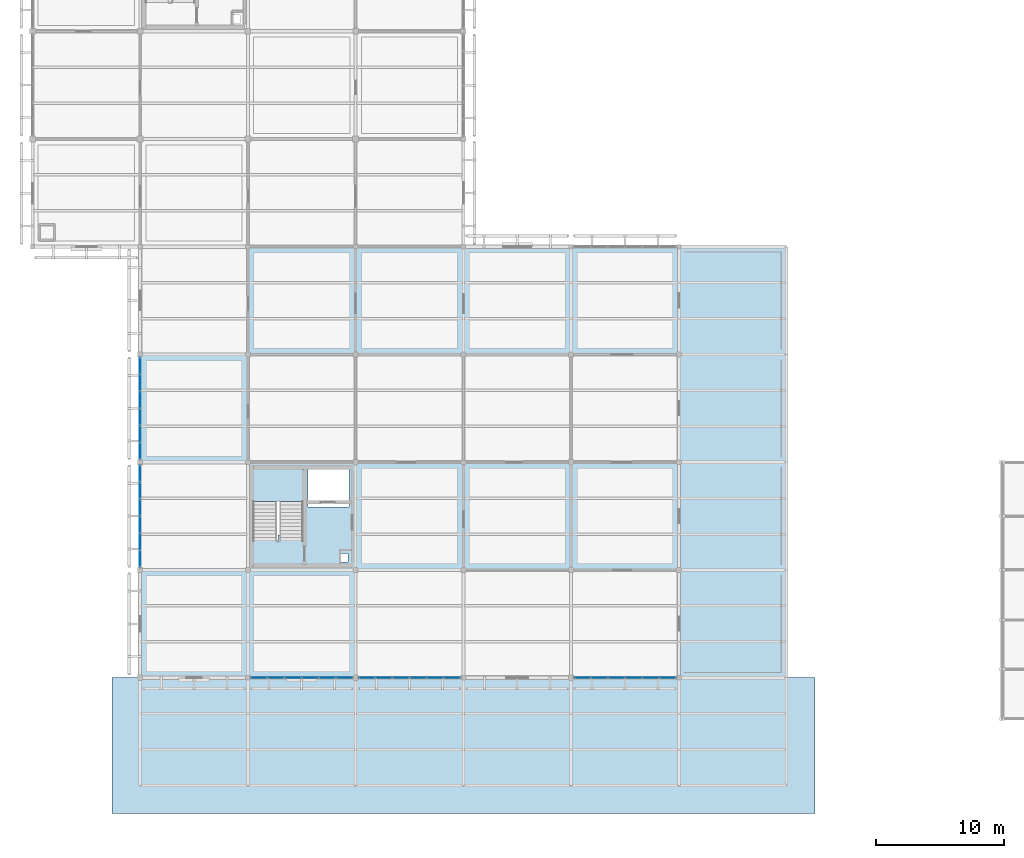
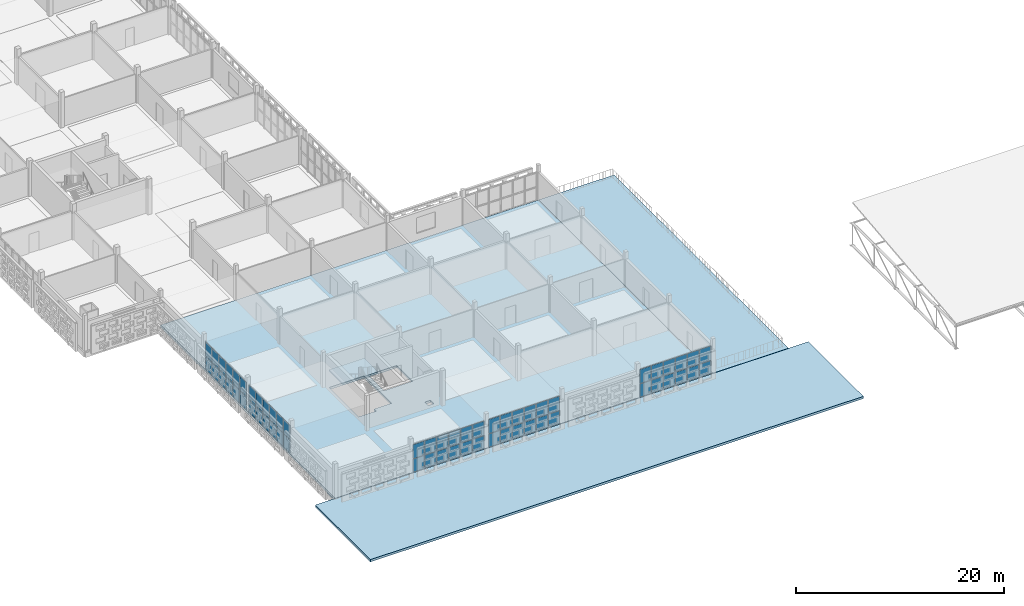
# One storey, part 70 of 140: 60 plates, 4 slabs, 6 elements without a shape of their own.
"""IFC4 building model written with IfcOpenShell, lengths in metres."""

from ifc_helpers import new_model, si_unit, direction, frame, origin, origin_2d, place, context, subcontext, project, spatial, polyline, rectangle, outline, extrude, material, layer, layer_set, type_object, element, aggregate, save


model = new_model("IFC4")

# Units and contexts
model_context = context("Model", 3, precision=1e-05, world=origin(), true_north=direction((0.0, 1.0)))
body_context = subcontext(model_context, "Body", "Model", "MODEL_VIEW")
ifc_project = project(units=[si_unit("LENGTHUNIT", "METRE"), si_unit("AREAUNIT", "SQUARE_METRE"), si_unit("VOLUMEUNIT", "CUBIC_METRE"), si_unit("PLANEANGLEUNIT", "RADIAN"), si_unit("MASSUNIT", "GRAM", prefix="KILO")], contexts=[model_context])

# Site, building, storey
site_placement = place(None, origin())
site = spatial("IfcSite", under=ifc_project, at=site_placement, CompositionType="ELEMENT")
building_placement = place(site_placement, origin())
building = spatial("IfcBuilding", under=site, at=building_placement, Name="Varnapada Polytechnic", CompositionType="ELEMENT")
storey_placement = place(building_placement, frame((0.0, 0.0, 13.800048828125)))
storey = spatial("IfcBuildingStorey", under=building, at=storey_placement, Name="L03", CompositionType="ELEMENT", Elevation=13.800048828125)

# Curtain wall, plates
ifc_material_1 = material(Name="Double low-E laminated glass", Category="glass")
ifc_layer_1 = layer(ifc_material_1, 0.179931640625)
ifc_layer_set_1 = layer_set([ifc_layer_1], Name="Double low-E laminated glass")
curtain_wall_type = type_object("IfcCurtainWallType", Name="Curtain Wall CW-03", PredefinedType="NOTDEFINED", material=ifc_layer_set_1)
curtain_wall_1_placement = place(storey_placement, origin())
curtain_wall_1 = element("IfcCurtainWall", 1, at=curtain_wall_1_placement, inside=storey, type_object=curtain_wall_type, Name="L03 unitised curtain wall CW-03 (211)", PredefinedType="NOTDEFINED")
ifc_layer_2 = layer(ifc_material_1, 0.031982421875)
ifc_layer_set_2 = layer_set([ifc_layer_2], Name="Double low-E laminated glass")
plate_type = type_object("IfcPlateType", Name="Curtain Panel PNL-02", PredefinedType="CURTAIN_PANEL", material=ifc_layer_set_2)
plate_1_placement = place(storey_placement, frame((8.39990234375, 17.682861328125, 0.06494140625), z_axis=(0.0, 0.0, 1.0), x_axis=(0.0, 1.0, 0.0)))
plate_1 = element("IfcPlate", 2, at=plate_1_placement, type_object=plate_type, Name="CW-03 panel 1.1", PredefinedType="CURTAIN_PANEL", context=body_context, shape_type="SweptSolid", body=[
    extrude(rectangle(XDim=1.23583984375, YDim=0.031982421875, at=origin_2d()), origin(), (0.0, 0.0, 1.0), 1.515380859375),
])
plate_2_placement = place(storey_placement, frame((8.39990234375, 17.682861328125, 1.6455078125), z_axis=(0.0, 0.0, 1.0), x_axis=(0.0, 1.0, 0.0)))
plate_2 = element("IfcPlate", 3, at=plate_2_placement, type_object=plate_type, Name="CW-03 panel 1.2", PredefinedType="CURTAIN_PANEL", context=body_context, shape_type="SweptSolid", body=[
    extrude(rectangle(XDim=1.23583984375, YDim=0.031982421875, at=origin_2d()), origin(), (0.0, 0.0, 1.0), 1.649658203125),
])
plate_3_placement = place(storey_placement, frame((8.39990234375, 19.0, 0.06494140625), z_axis=(0.0, 0.0, 1.0), x_axis=(0.0, 1.0, 0.0)))
plate_3 = element("IfcPlate", 4, at=plate_3_placement, type_object=plate_type, Name="CW-03 panel 2.1", PredefinedType="CURTAIN_PANEL", context=body_context, shape_type="SweptSolid", body=[
    extrude(rectangle(XDim=1.268310546875, YDim=0.031982421875, at=origin_2d()), origin(), (0.0, 0.0, 1.0), 1.515380859375),
])
plate_4_placement = place(storey_placement, frame((8.39990234375, 19.0, 1.6455078125), z_axis=(0.0, 0.0, 1.0), x_axis=(0.0, 1.0, 0.0)))
plate_4 = element("IfcPlate", 5, at=plate_4_placement, type_object=plate_type, Name="CW-03 panel 2.2", PredefinedType="CURTAIN_PANEL", context=body_context, shape_type="SweptSolid", body=[
    extrude(rectangle(XDim=1.268310546875, YDim=0.031982421875, at=origin_2d()), origin(), (0.0, 0.0, 1.0), 1.649658203125),
])
plate_5_placement = place(storey_placement, frame((8.39990234375, 20.333251953125, 0.06494140625), z_axis=(0.0, 0.0, 1.0), x_axis=(0.0, 1.0, 0.0)))
plate_5 = element("IfcPlate", 6, at=plate_5_placement, type_object=plate_type, Name="CW-03 panel 3.1", PredefinedType="CURTAIN_PANEL", context=body_context, shape_type="SweptSolid", body=[
    extrude(rectangle(XDim=1.268310546875, YDim=0.031982421875, at=origin_2d()), origin(), (0.0, 0.0, 1.0), 1.515380859375),
])
plate_6_placement = place(storey_placement, frame((8.39990234375, 20.333251953125, 1.6455078125), z_axis=(0.0, 0.0, 1.0), x_axis=(0.0, 1.0, 0.0)))
plate_6 = element("IfcPlate", 7, at=plate_6_placement, type_object=plate_type, Name="CW-03 panel 3.2", PredefinedType="CURTAIN_PANEL", context=body_context, shape_type="SweptSolid", body=[
    extrude(rectangle(XDim=1.268310546875, YDim=0.031982421875, at=origin_2d()), origin(), (0.0, 0.0, 1.0), 1.649658203125),
])
plate_7_placement = place(storey_placement, frame((8.39990234375, 21.666748046875, 0.06494140625), z_axis=(0.0, 0.0, 1.0), x_axis=(0.0, 1.0, 0.0)))
plate_7 = element("IfcPlate", 8, at=plate_7_placement, type_object=plate_type, Name="CW-03 panel 4.1", PredefinedType="CURTAIN_PANEL", context=body_context, shape_type="SweptSolid", body=[
    extrude(rectangle(XDim=1.268310546875, YDim=0.031982421875, at=origin_2d()), origin(), (0.0, 0.0, 1.0), 1.515380859375),
])
plate_8_placement = place(storey_placement, frame((8.39990234375, 21.666748046875, 1.6455078125), z_axis=(0.0, 0.0, 1.0), x_axis=(0.0, 1.0, 0.0)))
plate_8 = element("IfcPlate", 9, at=plate_8_placement, type_object=plate_type, Name="CW-03 panel 4.2", PredefinedType="CURTAIN_PANEL", context=body_context, shape_type="SweptSolid", body=[
    extrude(rectangle(XDim=1.268310546875, YDim=0.031982421875, at=origin_2d()), origin(), (0.0, 0.0, 1.0), 1.649658203125),
])
plate_9_placement = place(storey_placement, frame((8.39990234375, 23.0, 0.06494140625), z_axis=(0.0, 0.0, 1.0), x_axis=(0.0, 1.0, 0.0)))
plate_9 = element("IfcPlate", 10, at=plate_9_placement, type_object=plate_type, Name="CW-03 panel 5.1", PredefinedType="CURTAIN_PANEL", context=body_context, shape_type="SweptSolid", body=[
    extrude(rectangle(XDim=1.268310546875, YDim=0.031982421875, at=origin_2d()), origin(), (0.0, 0.0, 1.0), 1.515380859375),
])
plate_10_placement = place(storey_placement, frame((8.39990234375, 23.0, 1.6455078125), z_axis=(0.0, 0.0, 1.0), x_axis=(0.0, 1.0, 0.0)))
plate_10 = element("IfcPlate", 11, at=plate_10_placement, type_object=plate_type, Name="CW-03 panel 5.2", PredefinedType="CURTAIN_PANEL", context=body_context, shape_type="SweptSolid", body=[
    extrude(rectangle(XDim=1.268310546875, YDim=0.031982421875, at=origin_2d()), origin(), (0.0, 0.0, 1.0), 1.649658203125),
])
plate_11_placement = place(storey_placement, frame((8.39990234375, 24.317138671875, 0.06494140625), z_axis=(0.0, 0.0, 1.0), x_axis=(0.0, 1.0, 0.0)))
plate_11 = element("IfcPlate", 12, at=plate_11_placement, type_object=plate_type, Name="CW-03 panel 6.1", PredefinedType="CURTAIN_PANEL", context=body_context, shape_type="SweptSolid", body=[
    extrude(rectangle(XDim=1.23583984375, YDim=0.031982421875, at=origin_2d()), origin(), (0.0, 0.0, 1.0), 1.515380859375),
])
plate_12_placement = place(storey_placement, frame((8.39990234375, 24.317138671875, 1.6455078125), z_axis=(0.0, 0.0, 1.0), x_axis=(0.0, 1.0, 0.0)))
plate_12 = element("IfcPlate", 13, at=plate_12_placement, type_object=plate_type, Name="CW-03 panel 6.2", PredefinedType="CURTAIN_PANEL", context=body_context, shape_type="SweptSolid", body=[
    extrude(rectangle(XDim=1.23583984375, YDim=0.031982421875, at=origin_2d()), origin(), (0.0, 0.0, 1.0), 1.649658203125),
])
aggregate(curtain_wall_1, [plate_1, plate_2, plate_3, plate_4, plate_5, plate_6, plate_7, plate_8, plate_9, plate_10, plate_11, plate_12])

curtain_wall_2_placement = place(storey_placement, origin())
curtain_wall_2 = element("IfcCurtainWall", 14, at=curtain_wall_2_placement, inside=storey, type_object=curtain_wall_type, Name="L03 unitised curtain wall CW-03 (212)", PredefinedType="NOTDEFINED")
plate_13_placement = place(storey_placement, frame((8.39990234375, 26.0830078125, 0.06494140625), z_axis=(0.0, 0.0, 1.0), x_axis=(0.0, 1.0, 0.0)))
plate_13 = element("IfcPlate", 15, at=plate_13_placement, type_object=plate_type, Name="CW-03 panel 1.1", PredefinedType="CURTAIN_PANEL", context=body_context, shape_type="SweptSolid", body=[
    extrude(rectangle(XDim=1.23583984375, YDim=0.031982421875, at=origin_2d()), origin(), (0.0, 0.0, 1.0), 1.515380859375),
])
plate_14_placement = place(storey_placement, frame((8.39990234375, 26.0830078125, 1.6455078125), z_axis=(0.0, 0.0, 1.0), x_axis=(0.0, 1.0, 0.0)))
plate_14 = element("IfcPlate", 16, at=plate_14_placement, type_object=plate_type, Name="CW-03 panel 1.2", PredefinedType="CURTAIN_PANEL", context=body_context, shape_type="SweptSolid", body=[
    extrude(rectangle(XDim=1.23583984375, YDim=0.031982421875, at=origin_2d()), origin(), (0.0, 0.0, 1.0), 1.649658203125),
])
plate_15_placement = place(storey_placement, frame((8.39990234375, 27.39990234375, 0.06494140625), z_axis=(0.0, 0.0, 1.0), x_axis=(0.0, 1.0, 0.0)))
plate_15 = element("IfcPlate", 17, at=plate_15_placement, type_object=plate_type, Name="CW-03 panel 2.1", PredefinedType="CURTAIN_PANEL", context=body_context, shape_type="SweptSolid", body=[
    extrude(rectangle(XDim=1.268310546875, YDim=0.031982421875, at=origin_2d()), origin(), (0.0, 0.0, 1.0), 1.515380859375),
])
plate_16_placement = place(storey_placement, frame((8.39990234375, 27.39990234375, 1.6455078125), z_axis=(0.0, 0.0, 1.0), x_axis=(0.0, 1.0, 0.0)))
plate_16 = element("IfcPlate", 18, at=plate_16_placement, type_object=plate_type, Name="CW-03 panel 2.2", PredefinedType="CURTAIN_PANEL", context=body_context, shape_type="SweptSolid", body=[
    extrude(rectangle(XDim=1.268310546875, YDim=0.031982421875, at=origin_2d()), origin(), (0.0, 0.0, 1.0), 1.649658203125),
])
plate_17_placement = place(storey_placement, frame((8.39990234375, 28.7333984375, 0.06494140625), z_axis=(0.0, 0.0, 1.0), x_axis=(0.0, 1.0, 0.0)))
plate_17 = element("IfcPlate", 19, at=plate_17_placement, type_object=plate_type, Name="CW-03 panel 3.1", PredefinedType="CURTAIN_PANEL", context=body_context, shape_type="SweptSolid", body=[
    extrude(rectangle(XDim=1.268310546875, YDim=0.031982421875, at=origin_2d()), origin(), (0.0, 0.0, 1.0), 1.515380859375),
])
plate_18_placement = place(storey_placement, frame((8.39990234375, 28.7333984375, 1.6455078125), z_axis=(0.0, 0.0, 1.0), x_axis=(0.0, 1.0, 0.0)))
plate_18 = element("IfcPlate", 20, at=plate_18_placement, type_object=plate_type, Name="CW-03 panel 3.2", PredefinedType="CURTAIN_PANEL", context=body_context, shape_type="SweptSolid", body=[
    extrude(rectangle(XDim=1.268310546875, YDim=0.031982421875, at=origin_2d()), origin(), (0.0, 0.0, 1.0), 1.649658203125),
])
plate_19_placement = place(storey_placement, frame((8.39990234375, 30.066650390625, 0.06494140625), z_axis=(0.0, 0.0, 1.0), x_axis=(0.0, 1.0, 0.0)))
plate_19 = element("IfcPlate", 21, at=plate_19_placement, type_object=plate_type, Name="CW-03 panel 4.1", PredefinedType="CURTAIN_PANEL", context=body_context, shape_type="SweptSolid", body=[
    extrude(rectangle(XDim=1.268310546875, YDim=0.031982421875, at=origin_2d()), origin(), (0.0, 0.0, 1.0), 1.515380859375),
])
plate_20_placement = place(storey_placement, frame((8.39990234375, 30.066650390625, 1.6455078125), z_axis=(0.0, 0.0, 1.0), x_axis=(0.0, 1.0, 0.0)))
plate_20 = element("IfcPlate", 22, at=plate_20_placement, type_object=plate_type, Name="CW-03 panel 4.2", PredefinedType="CURTAIN_PANEL", context=body_context, shape_type="SweptSolid", body=[
    extrude(rectangle(XDim=1.268310546875, YDim=0.031982421875, at=origin_2d()), origin(), (0.0, 0.0, 1.0), 1.649658203125),
])
plate_21_placement = place(storey_placement, frame((8.39990234375, 31.39990234375, 0.06494140625), z_axis=(0.0, 0.0, 1.0), x_axis=(0.0, 1.0, 0.0)))
plate_21 = element("IfcPlate", 23, at=plate_21_placement, type_object=plate_type, Name="CW-03 panel 5.1", PredefinedType="CURTAIN_PANEL", context=body_context, shape_type="SweptSolid", body=[
    extrude(rectangle(XDim=1.268310546875, YDim=0.031982421875, at=origin_2d()), origin(), (0.0, 0.0, 1.0), 1.515380859375),
])
plate_22_placement = place(storey_placement, frame((8.39990234375, 31.39990234375, 1.6455078125), z_axis=(0.0, 0.0, 1.0), x_axis=(0.0, 1.0, 0.0)))
plate_22 = element("IfcPlate", 24, at=plate_22_placement, type_object=plate_type, Name="CW-03 panel 5.2", PredefinedType="CURTAIN_PANEL", context=body_context, shape_type="SweptSolid", body=[
    extrude(rectangle(XDim=1.268310546875, YDim=0.031982421875, at=origin_2d()), origin(), (0.0, 0.0, 1.0), 1.649658203125),
])
plate_23_placement = place(storey_placement, frame((8.39990234375, 32.717041015625, 0.06494140625), z_axis=(0.0, 0.0, 1.0), x_axis=(0.0, 1.0, 0.0)))
plate_23 = element("IfcPlate", 25, at=plate_23_placement, type_object=plate_type, Name="CW-03 panel 6.1", PredefinedType="CURTAIN_PANEL", context=body_context, shape_type="SweptSolid", body=[
    extrude(rectangle(XDim=1.23583984375, YDim=0.031982421875, at=origin_2d()), origin(), (0.0, 0.0, 1.0), 1.515380859375),
])
plate_24_placement = place(storey_placement, frame((8.39990234375, 32.717041015625, 1.6455078125), z_axis=(0.0, 0.0, 1.0), x_axis=(0.0, 1.0, 0.0)))
plate_24 = element("IfcPlate", 26, at=plate_24_placement, type_object=plate_type, Name="CW-03 panel 6.2", PredefinedType="CURTAIN_PANEL", context=body_context, shape_type="SweptSolid", body=[
    extrude(rectangle(XDim=1.23583984375, YDim=0.031982421875, at=origin_2d()), origin(), (0.0, 0.0, 1.0), 1.649658203125),
])
aggregate(curtain_wall_2, [plate_13, plate_14, plate_15, plate_16, plate_17, plate_18, plate_19, plate_20, plate_21, plate_22, plate_23, plate_24])

curtain_wall_3_placement = place(storey_placement, origin())
curtain_wall_3 = element("IfcCurtainWall", 27, at=curtain_wall_3_placement, inside=storey, type_object=curtain_wall_type, Name="L03 unitised curtain wall CW-03 (214)", PredefinedType="NOTDEFINED")
plate_25_placement = place(storey_placement, frame((24.316162109375, 8.39990234375, 0.06494140625), z_axis=(0.0, 0.0, 1.0), x_axis=(-1.0, 0.0, 0.0)))
plate_25 = element("IfcPlate", 28, at=plate_25_placement, type_object=plate_type, Name="CW-03 panel 1.1", PredefinedType="CURTAIN_PANEL", context=body_context, shape_type="SweptSolid", body=[
    extrude(rectangle(XDim=1.237548828125, YDim=0.031982421875, at=origin_2d()), origin(), (0.0, 0.0, 1.0), 1.515380859375),
])
plate_26_placement = place(storey_placement, frame((24.316162109375, 8.39990234375, 1.6455078125), z_axis=(0.0, 0.0, 1.0), x_axis=(-1.0, 0.0, 0.0)))
plate_26 = element("IfcPlate", 29, at=plate_26_placement, type_object=plate_type, Name="CW-03 panel 1.2", PredefinedType="CURTAIN_PANEL", context=body_context, shape_type="SweptSolid", body=[
    extrude(rectangle(XDim=1.237548828125, YDim=0.031982421875, at=origin_2d()), origin(), (0.0, 0.0, 1.0), 1.649658203125),
])
plate_27_placement = place(storey_placement, frame((22.99755859375, 8.39990234375, 0.06494140625), z_axis=(0.0, 0.0, 1.0), x_axis=(-1.0, 0.0, 0.0)))
plate_27 = element("IfcPlate", 30, at=plate_27_placement, type_object=plate_type, Name="CW-03 panel 2.1", PredefinedType="CURTAIN_PANEL", context=body_context, shape_type="SweptSolid", body=[
    extrude(rectangle(XDim=1.27001953125, YDim=0.031982421875, at=origin_2d()), origin(), (0.0, 0.0, 1.0), 1.515380859375),
])
plate_28_placement = place(storey_placement, frame((22.99755859375, 8.39990234375, 1.6455078125), z_axis=(0.0, 0.0, 1.0), x_axis=(-1.0, 0.0, 0.0)))
plate_28 = element("IfcPlate", 31, at=plate_28_placement, type_object=plate_type, Name="CW-03 panel 2.2", PredefinedType="CURTAIN_PANEL", context=body_context, shape_type="SweptSolid", body=[
    extrude(rectangle(XDim=1.27001953125, YDim=0.031982421875, at=origin_2d()), origin(), (0.0, 0.0, 1.0), 1.649658203125),
])
plate_29_placement = place(storey_placement, frame((21.66259765625, 8.39990234375, 0.06494140625), z_axis=(0.0, 0.0, 1.0), x_axis=(-1.0, 0.0, 0.0)))
plate_29 = element("IfcPlate", 32, at=plate_29_placement, type_object=plate_type, Name="CW-03 panel 3.1", PredefinedType="CURTAIN_PANEL", context=body_context, shape_type="SweptSolid", body=[
    extrude(rectangle(XDim=1.27001953125, YDim=0.031982421875, at=origin_2d()), origin(), (0.0, 0.0, 1.0), 1.515380859375),
])
plate_30_placement = place(storey_placement, frame((21.66259765625, 8.39990234375, 1.6455078125), z_axis=(0.0, 0.0, 1.0), x_axis=(-1.0, 0.0, 0.0)))
plate_30 = element("IfcPlate", 33, at=plate_30_placement, type_object=plate_type, Name="CW-03 panel 3.2", PredefinedType="CURTAIN_PANEL", context=body_context, shape_type="SweptSolid", body=[
    extrude(rectangle(XDim=1.27001953125, YDim=0.031982421875, at=origin_2d()), origin(), (0.0, 0.0, 1.0), 1.649658203125),
])
plate_31_placement = place(storey_placement, frame((20.327392578125, 8.39990234375, 0.06494140625), z_axis=(0.0, 0.0, 1.0), x_axis=(-1.0, 0.0, 0.0)))
plate_31 = element("IfcPlate", 34, at=plate_31_placement, type_object=plate_type, Name="CW-03 panel 4.1", PredefinedType="CURTAIN_PANEL", context=body_context, shape_type="SweptSolid", body=[
    extrude(rectangle(XDim=1.27001953125, YDim=0.031982421875, at=origin_2d()), origin(), (0.0, 0.0, 1.0), 1.515380859375),
])
plate_32_placement = place(storey_placement, frame((20.327392578125, 8.39990234375, 1.6455078125), z_axis=(0.0, 0.0, 1.0), x_axis=(-1.0, 0.0, 0.0)))
plate_32 = element("IfcPlate", 35, at=plate_32_placement, type_object=plate_type, Name="CW-03 panel 4.2", PredefinedType="CURTAIN_PANEL", context=body_context, shape_type="SweptSolid", body=[
    extrude(rectangle(XDim=1.27001953125, YDim=0.031982421875, at=origin_2d()), origin(), (0.0, 0.0, 1.0), 1.649658203125),
])
plate_33_placement = place(storey_placement, frame((18.992431640625, 8.39990234375, 0.06494140625), z_axis=(0.0, 0.0, 1.0), x_axis=(-1.0, 0.0, 0.0)))
plate_33 = element("IfcPlate", 36, at=plate_33_placement, type_object=plate_type, Name="CW-03 panel 5.1", PredefinedType="CURTAIN_PANEL", context=body_context, shape_type="SweptSolid", body=[
    extrude(rectangle(XDim=1.27001953125, YDim=0.031982421875, at=origin_2d()), origin(), (0.0, 0.0, 1.0), 1.515380859375),
])
plate_34_placement = place(storey_placement, frame((18.992431640625, 8.39990234375, 1.6455078125), z_axis=(0.0, 0.0, 1.0), x_axis=(-1.0, 0.0, 0.0)))
plate_34 = element("IfcPlate", 37, at=plate_34_placement, type_object=plate_type, Name="CW-03 panel 5.2", PredefinedType="CURTAIN_PANEL", context=body_context, shape_type="SweptSolid", body=[
    extrude(rectangle(XDim=1.27001953125, YDim=0.031982421875, at=origin_2d()), origin(), (0.0, 0.0, 1.0), 1.649658203125),
])
plate_35_placement = place(storey_placement, frame((17.673828125, 8.39990234375, 0.06494140625), z_axis=(0.0, 0.0, 1.0), x_axis=(-1.0, 0.0, 0.0)))
plate_35 = element("IfcPlate", 38, at=plate_35_placement, type_object=plate_type, Name="CW-03 panel 6.1", PredefinedType="CURTAIN_PANEL", context=body_context, shape_type="SweptSolid", body=[
    extrude(rectangle(XDim=1.237548828125, YDim=0.031982421875, at=origin_2d()), origin(), (0.0, 0.0, 1.0), 1.515380859375),
])
plate_36_placement = place(storey_placement, frame((17.673828125, 8.39990234375, 1.6455078125), z_axis=(0.0, 0.0, 1.0), x_axis=(-1.0, 0.0, 0.0)))
plate_36 = element("IfcPlate", 39, at=plate_36_placement, type_object=plate_type, Name="CW-03 panel 6.2", PredefinedType="CURTAIN_PANEL", context=body_context, shape_type="SweptSolid", body=[
    extrude(rectangle(XDim=1.237548828125, YDim=0.031982421875, at=origin_2d()), origin(), (0.0, 0.0, 1.0), 1.649658203125),
])
aggregate(curtain_wall_3, [plate_25, plate_26, plate_27, plate_28, plate_29, plate_30, plate_31, plate_32, plate_33, plate_34, plate_35, plate_36])

curtain_wall_4_placement = place(storey_placement, origin())
curtain_wall_4 = element("IfcCurtainWall", 40, at=curtain_wall_4_placement, inside=storey, type_object=curtain_wall_type, Name="L03 unitised curtain wall CW-03 (216)", PredefinedType="NOTDEFINED")
plate_37_placement = place(storey_placement, frame((32.726318359375, 8.39990234375, 0.06494140625), z_axis=(0.0, 0.0, 1.0), x_axis=(-1.0, 0.0, 0.0)))
plate_37 = element("IfcPlate", 41, at=plate_37_placement, type_object=plate_type, Name="CW-03 panel 1.1", PredefinedType="CURTAIN_PANEL", context=body_context, shape_type="SweptSolid", body=[
    extrude(rectangle(XDim=1.237548828125, YDim=0.031982421875, at=origin_2d()), origin(), (0.0, 0.0, 1.0), 1.515380859375),
])
plate_38_placement = place(storey_placement, frame((32.726318359375, 8.39990234375, 1.6455078125), z_axis=(0.0, 0.0, 1.0), x_axis=(-1.0, 0.0, 0.0)))
plate_38 = element("IfcPlate", 42, at=plate_38_placement, type_object=plate_type, Name="CW-03 panel 1.2", PredefinedType="CURTAIN_PANEL", context=body_context, shape_type="SweptSolid", body=[
    extrude(rectangle(XDim=1.237548828125, YDim=0.031982421875, at=origin_2d()), origin(), (0.0, 0.0, 1.0), 1.649658203125),
])
plate_39_placement = place(storey_placement, frame((31.407470703125, 8.39990234375, 0.06494140625), z_axis=(0.0, 0.0, 1.0), x_axis=(-1.0, 0.0, 0.0)))
plate_39 = element("IfcPlate", 43, at=plate_39_placement, type_object=plate_type, Name="CW-03 panel 2.1", PredefinedType="CURTAIN_PANEL", context=body_context, shape_type="SweptSolid", body=[
    extrude(rectangle(XDim=1.27001953125, YDim=0.031982421875, at=origin_2d()), origin(), (0.0, 0.0, 1.0), 1.515380859375),
])
plate_40_placement = place(storey_placement, frame((31.407470703125, 8.39990234375, 1.6455078125), z_axis=(0.0, 0.0, 1.0), x_axis=(-1.0, 0.0, 0.0)))
plate_40 = element("IfcPlate", 44, at=plate_40_placement, type_object=plate_type, Name="CW-03 panel 2.2", PredefinedType="CURTAIN_PANEL", context=body_context, shape_type="SweptSolid", body=[
    extrude(rectangle(XDim=1.27001953125, YDim=0.031982421875, at=origin_2d()), origin(), (0.0, 0.0, 1.0), 1.649658203125),
])
plate_41_placement = place(storey_placement, frame((30.072509765625, 8.39990234375, 0.06494140625), z_axis=(0.0, 0.0, 1.0), x_axis=(-1.0, 0.0, 0.0)))
plate_41 = element("IfcPlate", 45, at=plate_41_placement, type_object=plate_type, Name="CW-03 panel 3.1", PredefinedType="CURTAIN_PANEL", context=body_context, shape_type="SweptSolid", body=[
    extrude(rectangle(XDim=1.27001953125, YDim=0.031982421875, at=origin_2d()), origin(), (0.0, 0.0, 1.0), 1.515380859375),
])
plate_42_placement = place(storey_placement, frame((30.072509765625, 8.39990234375, 1.6455078125), z_axis=(0.0, 0.0, 1.0), x_axis=(-1.0, 0.0, 0.0)))
plate_42 = element("IfcPlate", 46, at=plate_42_placement, type_object=plate_type, Name="CW-03 panel 3.2", PredefinedType="CURTAIN_PANEL", context=body_context, shape_type="SweptSolid", body=[
    extrude(rectangle(XDim=1.27001953125, YDim=0.031982421875, at=origin_2d()), origin(), (0.0, 0.0, 1.0), 1.649658203125),
])
plate_43_placement = place(storey_placement, frame((28.737548828125, 8.39990234375, 0.06494140625), z_axis=(0.0, 0.0, 1.0), x_axis=(-1.0, 0.0, 0.0)))
plate_43 = element("IfcPlate", 47, at=plate_43_placement, type_object=plate_type, Name="CW-03 panel 4.1", PredefinedType="CURTAIN_PANEL", context=body_context, shape_type="SweptSolid", body=[
    extrude(rectangle(XDim=1.27001953125, YDim=0.031982421875, at=origin_2d()), origin(), (0.0, 0.0, 1.0), 1.515380859375),
])
plate_44_placement = place(storey_placement, frame((28.737548828125, 8.39990234375, 1.6455078125), z_axis=(0.0, 0.0, 1.0), x_axis=(-1.0, 0.0, 0.0)))
plate_44 = element("IfcPlate", 48, at=plate_44_placement, type_object=plate_type, Name="CW-03 panel 4.2", PredefinedType="CURTAIN_PANEL", context=body_context, shape_type="SweptSolid", body=[
    extrude(rectangle(XDim=1.27001953125, YDim=0.031982421875, at=origin_2d()), origin(), (0.0, 0.0, 1.0), 1.649658203125),
])
plate_45_placement = place(storey_placement, frame((27.402587890625, 8.39990234375, 0.06494140625), z_axis=(0.0, 0.0, 1.0), x_axis=(-1.0, 0.0, 0.0)))
plate_45 = element("IfcPlate", 49, at=plate_45_placement, type_object=plate_type, Name="CW-03 panel 5.1", PredefinedType="CURTAIN_PANEL", context=body_context, shape_type="SweptSolid", body=[
    extrude(rectangle(XDim=1.27001953125, YDim=0.031982421875, at=origin_2d()), origin(), (0.0, 0.0, 1.0), 1.515380859375),
])
plate_46_placement = place(storey_placement, frame((27.402587890625, 8.39990234375, 1.6455078125), z_axis=(0.0, 0.0, 1.0), x_axis=(-1.0, 0.0, 0.0)))
plate_46 = element("IfcPlate", 50, at=plate_46_placement, type_object=plate_type, Name="CW-03 panel 5.2", PredefinedType="CURTAIN_PANEL", context=body_context, shape_type="SweptSolid", body=[
    extrude(rectangle(XDim=1.27001953125, YDim=0.031982421875, at=origin_2d()), origin(), (0.0, 0.0, 1.0), 1.649658203125),
])
plate_47_placement = place(storey_placement, frame((26.083740234375, 8.39990234375, 0.06494140625), z_axis=(0.0, 0.0, 1.0), x_axis=(-1.0, 0.0, 0.0)))
plate_47 = element("IfcPlate", 51, at=plate_47_placement, type_object=plate_type, Name="CW-03 panel 6.1", PredefinedType="CURTAIN_PANEL", context=body_context, shape_type="SweptSolid", body=[
    extrude(rectangle(XDim=1.237548828125, YDim=0.031982421875, at=origin_2d()), origin(), (0.0, 0.0, 1.0), 1.515380859375),
])
plate_48_placement = place(storey_placement, frame((26.083740234375, 8.39990234375, 1.6455078125), z_axis=(0.0, 0.0, 1.0), x_axis=(-1.0, 0.0, 0.0)))
plate_48 = element("IfcPlate", 52, at=plate_48_placement, type_object=plate_type, Name="CW-03 panel 6.2", PredefinedType="CURTAIN_PANEL", context=body_context, shape_type="SweptSolid", body=[
    extrude(rectangle(XDim=1.237548828125, YDim=0.031982421875, at=origin_2d()), origin(), (0.0, 0.0, 1.0), 1.649658203125),
])
aggregate(curtain_wall_4, [plate_37, plate_38, plate_39, plate_40, plate_41, plate_42, plate_43, plate_44, plate_45, plate_46, plate_47, plate_48])

curtain_wall_5_placement = place(storey_placement, origin())
curtain_wall_5 = element("IfcCurtainWall", 53, at=curtain_wall_5_placement, inside=storey, type_object=curtain_wall_type, Name="L03 unitised curtain wall CW-03 (223)", PredefinedType="NOTDEFINED")
plate_49_placement = place(storey_placement, frame((49.5263671875, 8.39990234375, 0.06494140625), z_axis=(0.0, 0.0, 1.0), x_axis=(-1.0, 0.0, 0.0)))
plate_49 = element("IfcPlate", 54, at=plate_49_placement, type_object=plate_type, Name="CW-03 panel 1.1", PredefinedType="CURTAIN_PANEL", context=body_context, shape_type="SweptSolid", body=[
    extrude(rectangle(XDim=1.237548828125, YDim=0.031982421875, at=origin_2d()), origin(), (0.0, 0.0, 1.0), 1.515380859375),
])
plate_50_placement = place(storey_placement, frame((49.5263671875, 8.39990234375, 1.6455078125), z_axis=(0.0, 0.0, 1.0), x_axis=(-1.0, 0.0, 0.0)))
plate_50 = element("IfcPlate", 55, at=plate_50_placement, type_object=plate_type, Name="CW-03 panel 1.2", PredefinedType="CURTAIN_PANEL", context=body_context, shape_type="SweptSolid", body=[
    extrude(rectangle(XDim=1.237548828125, YDim=0.031982421875, at=origin_2d()), origin(), (0.0, 0.0, 1.0), 1.649658203125),
])
plate_51_placement = place(storey_placement, frame((48.20751953125, 8.39990234375, 0.06494140625), z_axis=(0.0, 0.0, 1.0), x_axis=(-1.0, 0.0, 0.0)))
plate_51 = element("IfcPlate", 56, at=plate_51_placement, type_object=plate_type, Name="CW-03 panel 2.1", PredefinedType="CURTAIN_PANEL", context=body_context, shape_type="SweptSolid", body=[
    extrude(rectangle(XDim=1.27001953125, YDim=0.031982421875, at=origin_2d()), origin(), (0.0, 0.0, 1.0), 1.515380859375),
])
plate_52_placement = place(storey_placement, frame((48.20751953125, 8.39990234375, 1.6455078125), z_axis=(0.0, 0.0, 1.0), x_axis=(-1.0, 0.0, 0.0)))
plate_52 = element("IfcPlate", 57, at=plate_52_placement, type_object=plate_type, Name="CW-03 panel 2.2", PredefinedType="CURTAIN_PANEL", context=body_context, shape_type="SweptSolid", body=[
    extrude(rectangle(XDim=1.27001953125, YDim=0.031982421875, at=origin_2d()), origin(), (0.0, 0.0, 1.0), 1.649658203125),
])
plate_53_placement = place(storey_placement, frame((46.87255859375, 8.39990234375, 0.06494140625), z_axis=(0.0, 0.0, 1.0), x_axis=(-1.0, 0.0, 0.0)))
plate_53 = element("IfcPlate", 58, at=plate_53_placement, type_object=plate_type, Name="CW-03 panel 3.1", PredefinedType="CURTAIN_PANEL", context=body_context, shape_type="SweptSolid", body=[
    extrude(rectangle(XDim=1.27001953125, YDim=0.031982421875, at=origin_2d()), origin(), (0.0, 0.0, 1.0), 1.515380859375),
])
plate_54_placement = place(storey_placement, frame((46.87255859375, 8.39990234375, 1.6455078125), z_axis=(0.0, 0.0, 1.0), x_axis=(-1.0, 0.0, 0.0)))
plate_54 = element("IfcPlate", 59, at=plate_54_placement, type_object=plate_type, Name="CW-03 panel 3.2", PredefinedType="CURTAIN_PANEL", context=body_context, shape_type="SweptSolid", body=[
    extrude(rectangle(XDim=1.27001953125, YDim=0.031982421875, at=origin_2d()), origin(), (0.0, 0.0, 1.0), 1.649658203125),
])
plate_55_placement = place(storey_placement, frame((45.53759765625, 8.39990234375, 0.06494140625), z_axis=(0.0, 0.0, 1.0), x_axis=(-1.0, 0.0, 0.0)))
plate_55 = element("IfcPlate", 60, at=plate_55_placement, type_object=plate_type, Name="CW-03 panel 4.1", PredefinedType="CURTAIN_PANEL", context=body_context, shape_type="SweptSolid", body=[
    extrude(rectangle(XDim=1.27001953125, YDim=0.031982421875, at=origin_2d()), origin(), (0.0, 0.0, 1.0), 1.515380859375),
])
plate_56_placement = place(storey_placement, frame((45.53759765625, 8.39990234375, 1.6455078125), z_axis=(0.0, 0.0, 1.0), x_axis=(-1.0, 0.0, 0.0)))
plate_56 = element("IfcPlate", 61, at=plate_56_placement, type_object=plate_type, Name="CW-03 panel 4.2", PredefinedType="CURTAIN_PANEL", context=body_context, shape_type="SweptSolid", body=[
    extrude(rectangle(XDim=1.27001953125, YDim=0.031982421875, at=origin_2d()), origin(), (0.0, 0.0, 1.0), 1.649658203125),
])
plate_57_placement = place(storey_placement, frame((44.202392578125, 8.39990234375, 0.06494140625), z_axis=(0.0, 0.0, 1.0), x_axis=(-1.0, 0.0, 0.0)))
plate_57 = element("IfcPlate", 62, at=plate_57_placement, type_object=plate_type, Name="CW-03 panel 5.1", PredefinedType="CURTAIN_PANEL", context=body_context, shape_type="SweptSolid", body=[
    extrude(rectangle(XDim=1.27001953125, YDim=0.031982421875, at=origin_2d()), origin(), (0.0, 0.0, 1.0), 1.515380859375),
])
plate_58_placement = place(storey_placement, frame((44.202392578125, 8.39990234375, 1.6455078125), z_axis=(0.0, 0.0, 1.0), x_axis=(-1.0, 0.0, 0.0)))
plate_58 = element("IfcPlate", 63, at=plate_58_placement, type_object=plate_type, Name="CW-03 panel 5.2", PredefinedType="CURTAIN_PANEL", context=body_context, shape_type="SweptSolid", body=[
    extrude(rectangle(XDim=1.27001953125, YDim=0.031982421875, at=origin_2d()), origin(), (0.0, 0.0, 1.0), 1.649658203125),
])
plate_59_placement = place(storey_placement, frame((42.8837890625, 8.39990234375, 0.06494140625), z_axis=(0.0, 0.0, 1.0), x_axis=(-1.0, 0.0, 0.0)))
plate_59 = element("IfcPlate", 64, at=plate_59_placement, type_object=plate_type, Name="CW-03 panel 6.1", PredefinedType="CURTAIN_PANEL", context=body_context, shape_type="SweptSolid", body=[
    extrude(rectangle(XDim=1.237548828125, YDim=0.031982421875, at=origin_2d()), origin(), (0.0, 0.0, 1.0), 1.515380859375),
])
plate_60_placement = place(storey_placement, frame((42.8837890625, 8.39990234375, 1.6455078125), z_axis=(0.0, 0.0, 1.0), x_axis=(-1.0, 0.0, 0.0)))
plate_60 = element("IfcPlate", 65, at=plate_60_placement, type_object=plate_type, Name="CW-03 panel 6.2", PredefinedType="CURTAIN_PANEL", context=body_context, shape_type="SweptSolid", body=[
    extrude(rectangle(XDim=1.237548828125, YDim=0.031982421875, at=origin_2d()), origin(), (0.0, 0.0, 1.0), 1.649658203125),
])
aggregate(curtain_wall_5, [plate_49, plate_50, plate_51, plate_52, plate_53, plate_54, plate_55, plate_56, plate_57, plate_58, plate_59, plate_60])

# Slabs
ifc_material_2 = material(Name="Concrete C40/50", Category="concrete")
ifc_layer_3 = layer(ifc_material_2, 0.260009765625)
ifc_layer_set_3 = layer_set([ifc_layer_3], Name="Concrete C40/50")
slab_type_1 = type_object("IfcSlabType", Name="L03 planted refectory roof garden slab SL-09", PredefinedType="FLOOR", material=ifc_layer_set_3)
slab_1_placement = place(storey_placement, frame((0.0, 0.0, -0.260009765625)))
element("IfcSlab", 66, at=slab_1_placement, inside=storey, type_object=slab_type_1, Name="L03 V2_EAST_TERRACE slab 1.1", PredefinedType="FLOOR", context=body_context, shape_type="SweptSolid", body=[
    extrude(outline(polyline([(50.39990234375, 8.39990234375), (50.39990234375, 16.800048828125), (50.39990234375, 25.199951171875), (50.39990234375, 33.60009765625), (50.39990234375, 42.0), (58.800048828125, 42.0), (58.800048828125, 33.60009765625), (58.800048828125, 25.199951171875), (58.800048828125, 16.800048828125), (58.800048828125, 8.39990234375), (50.39990234375, 8.39990234375)])), origin(), (0.0, 0.0, 1.0), 0.260009765625),
])
ifc_material_3 = material(Name="Cross-laminated timber CLT C24", Category="wood")
ifc_layer_4 = layer(ifc_material_3, 0.27001953125)
ifc_layer_set_4 = layer_set([ifc_layer_4], Name="Cross-laminated timber CLT C24")
slab_type_2 = type_object("IfcSlabType", Name="L03/L04 7.18 kPa library stack CLT slab SL-07", PredefinedType="FLOOR", material=ifc_layer_set_4)
slab_2_placement = place(storey_placement, frame((0.0, 0.0, -0.27001953125)))
element("IfcSlab", 67, at=slab_2_placement, inside=storey, type_object=slab_type_2, Name="L03 V2 slab 1.1", PredefinedType="FLOOR", context=body_context, shape_type="SweptSolid", body=[
    extrude(outline(polyline([(8.39990234375, 33.60009765625), (8.39990234375, 42.0), (16.800048828125, 42.0), (25.199951171875, 42.0), (33.60009765625, 42.0), (42.0, 42.0), (50.39990234375, 42.0), (50.39990234375, 33.60009765625), (50.39990234375, 25.199951171875), (50.39990234375, 16.800048828125), (50.39990234375, 8.39990234375), (42.0, 8.39990234375), (33.60009765625, 8.39990234375), (25.199951171875, 8.39990234375), (16.800048828125, 8.39990234375), (8.39990234375, 8.39990234375), (8.39990234375, 16.800048828125), (8.39990234375, 25.199951171875), (8.39990234375, 33.60009765625)]), holes=[polyline([(17.199951171875, 19.110107421875), (19.14990234375, 19.110107421875), (19.14990234375, 19.510009765625), (21.10009765625, 19.510009765625), (21.10009765625, 24.800048828125), (17.199951171875, 24.800048828125), (17.199951171875, 19.110107421875)]), polyline([(21.5, 21.699951171875), (24.699951171875, 21.699951171875), (24.699951171875, 24.75), (21.5, 24.75), (21.5, 21.699951171875)]), polyline([(23.949951171875, 17.419921875), (24.60009765625, 17.419921875), (24.60009765625, 18.070068359375), (23.949951171875, 18.070068359375), (23.949951171875, 17.419921875)])]), origin(), (0.0, 0.0, 1.0), 0.27001953125),
])
ifc_layer_5 = layer(ifc_material_2, 0.27001953125)
ifc_layer_set_5 = layer_set([ifc_layer_5], Name="Concrete C40/50")
slab_type_3 = type_object("IfcSlabType", Name="Overhanging tropical eave roof slab RS-07", PredefinedType="ROOF", material=ifc_layer_set_5)
slab_3_placement = place(storey_placement, frame((0.0, 0.0, -0.27001953125)))
element("IfcSlab", 68, at=slab_3_placement, inside=storey, type_object=slab_type_3, Name="L03 overhanging eave roof slab 1", PredefinedType="ROOF", context=body_context, shape_type="SweptSolid", body=[
    extrude(outline(polyline([(61.0, 8.39990234375), (61.0, -2.199951171875), (6.199951171875, -2.199951171875), (6.199951171875, 8.39990234375), (8.3798828125, 8.39990234375), (8.39990234375, 8.3798828125), (58.800048828125, 8.3798828125), (58.820068359375, 8.39990234375), (61.0, 8.39990234375)])), origin(), (0.0, 0.0, 1.0), 0.27001953125),
])

# Stair, slab
stair_type = type_object("IfcStairType", Name="Core Exit Stair ST-A", PredefinedType="HALF_TURN_STAIR", material=ifc_material_2)
stair_placement = place(storey_placement, origin())
stair = element("IfcStair", 69, at=stair_placement, inside=storey, type_object=stair_type, Name="L03 Core C3 Exit Stair", PredefinedType="HALF_TURN_STAIR")
ifc_layer_6 = layer(ifc_material_2, 0.199951171875)
ifc_layer_set_6 = layer_set([ifc_layer_6], Name="Concrete C40/50")
slab_type_4 = type_object("IfcSlabType", Name="Stair Half Landing SLD-01", PredefinedType="LANDING", material=ifc_layer_set_6)
slab_4_placement = place(storey_placement, frame((0.0, 0.0, 1.89990234375)))
slab_4 = element("IfcSlab", 70, at=slab_4_placement, type_object=slab_type_4, Name="ST-3 landing 1", PredefinedType="LANDING", context=body_context, shape_type="SweptSolid", body=[
    extrude(outline(polyline([(21.10009765625, 22.1298828125), (21.10009765625, 24.800048828125), (17.199951171875, 24.800048828125), (17.199951171875, 22.1298828125), (21.10009765625, 22.1298828125)])), origin(), (0.0, 0.0, 1.0), 0.199951171875),
])
aggregate(stair, [slab_4])

save(model, "model.ifc")
